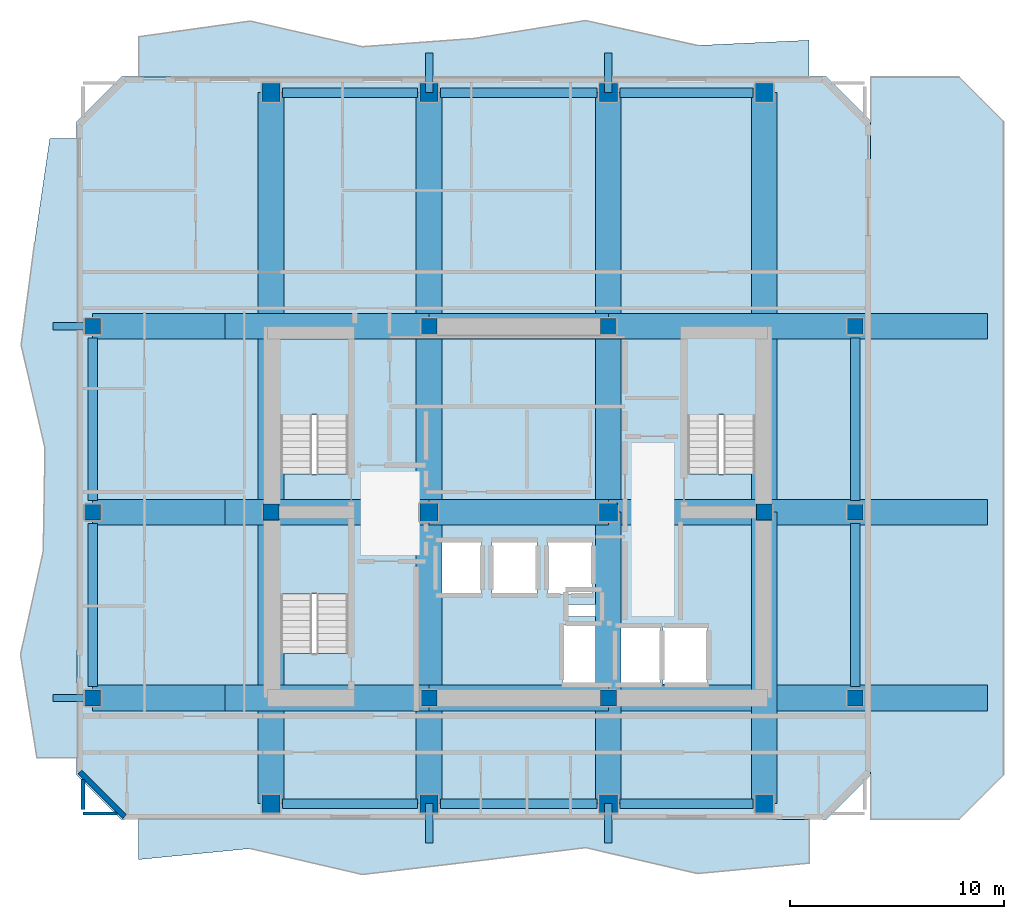
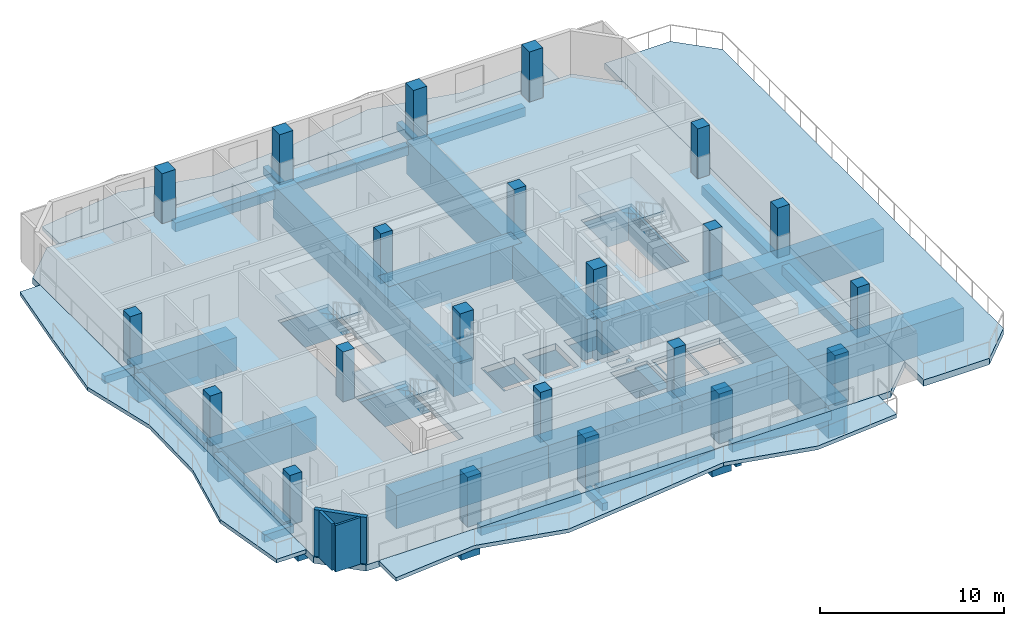
# One storey, part 1 of 10: 36 beams, 22 columns, 8 slabs, 3 walls, 3 elements without a shape of their own.
"""IFC4 building model written with IfcOpenShell, lengths in metres."""

from ifc_helpers import new_model, si_unit, direction, frame, frame_2d, origin, origin_2d, place, context, subcontext, project, spatial, polyline, rectangle, outline, extrude, material, layer, layer_set, material_profile, profile_set, type_object, element, aggregate, save


model = new_model("IFC4")

# Units and contexts
model_context = context("Model", 3, precision=1e-05, world=origin(), true_north=direction((0.0, 1.0)))
body_context = subcontext(model_context, "Body", "Model", "MODEL_VIEW")
ifc_project = project(units=[si_unit("LENGTHUNIT", "METRE"), si_unit("AREAUNIT", "SQUARE_METRE"), si_unit("VOLUMEUNIT", "CUBIC_METRE"), si_unit("PLANEANGLEUNIT", "RADIAN"), si_unit("MASSUNIT", "GRAM", prefix="KILO")], contexts=[model_context])

# Site, building, storey
site_placement = place(None, origin())
site = spatial("IfcSite", under=ifc_project, at=site_placement, CompositionType="ELEMENT")
building_placement = place(site_placement, origin())
building = spatial("IfcBuilding", under=site, at=building_placement, Name="Solanera Arch Residences", CompositionType="ELEMENT")
storey_placement = place(building_placement, frame((0.0, 0.0, 251.199951171875)))
storey = spatial("IfcBuildingStorey", under=building, at=storey_placement, Name="L73", CompositionType="ELEMENT", Elevation=251.199951171875)

# Columns
ifc_material_1 = material(Name="Concrete C40/50 (f'c = 45 MPa)", Category="concrete")
ifc_material_profile_1 = material_profile(ifc_material_1, rectangle(XDim=0.75, YDim=0.75, at=origin_2d()))
ifc_profile_set_1 = profile_set([ifc_material_profile_1], Name="Concrete C40/50 (f'c = 45 MPa)")
column_type_1 = type_object("IfcColumnType", Name="Structural Column RC-COL-750X750", PredefinedType="COLUMN", material=ifc_profile_set_1)
for number, where, z_axis, x_axis, name in (
    (1, (20.800048828125, 22.0, 0.0), (0.0, 0.0, 1.0), (1.0, 0.0, 0.0), "COL-L73-CB-SW"),
    (2, (29.199951171875, 22.0, 0.0), (0.0, 0.0, 1.0), (1.0, 0.0, 0.0), "COL-L73-CB-SE"),
    (3, (20.800048828125, 39.39990234375, 0.0), (0.0, 0.0, 1.0), (1.0, 0.0, 0.0), "COL-L73-CB-NW"),
    (4, (29.199951171875, 39.39990234375, 0.0), (0.0, 0.0, 1.0), (1.0, 0.0, 0.0), "COL-L73-CB-NE"),
    (5, (13.39990234375, 30.699951171875, 0.0), (0.0, 0.0, 1.0), (1.0, 0.0, 0.0), "COL-L73-CB-WW"),
    (6, (36.5, 30.699951171875, 0.0), (0.0, 0.0, 1.0), (1.0, 0.0, 0.0), "COL-L73-CB-EE"),
):
    element("IfcColumn", number, at=place(storey_placement, frame(where, z_axis=z_axis, x_axis=x_axis)), inside=storey, type_object=column_type_1, Name=name, PredefinedType="COLUMN", context=body_context, shape_type="SweptSolid", body=[
        extrude(rectangle(XDim=0.75, YDim=0.75, at=origin_2d()), origin(), (0.0, 0.0, 1.0), 3.320068359375),
    ])
for number, where, z_axis, x_axis, name in (
    (7, (5.050048828125, 22.0, -0.199951171875), (0.0, 0.0, 1.0), (1.0, 0.0, 0.0), "COL-L73-TWR-09"),
    (8, (40.75, 22.0, -0.199951171875), (0.0, 0.0, 1.0), (1.0, 0.0, 0.0), "COL-L73-TWR-10"),
    (9, (5.050048828125, 30.699951171875, -0.199951171875), (0.0, 0.0, 1.0), (1.0, 0.0, 0.0), "COL-L73-TWR-11"),
    (10, (40.75, 30.699951171875, -0.199951171875), (0.0, 0.0, 1.0), (1.0, 0.0, 0.0), "COL-L73-TWR-12"),
    (11, (5.050048828125, 39.39990234375, -0.199951171875), (0.0, 0.0, 1.0), (1.0, 0.0, 0.0), "COL-L73-TWR-13"),
    (12, (40.75, 39.39990234375, -0.199951171875), (0.0, 0.0, 1.0), (1.0, 0.0, 0.0), "COL-L73-TWR-14"),
):
    element("IfcColumn", number, at=place(storey_placement, frame(where, z_axis=z_axis, x_axis=x_axis)), inside=storey, type_object=column_type_1, Name=name, PredefinedType="COLUMN", context=body_context, shape_type="SweptSolid", body=[
        extrude(rectangle(XDim=0.75, YDim=0.75, at=origin_2d()), origin(), (0.0, 0.0, 1.0), 3.52001953125),
    ])
ifc_material_2 = material(Name="Concrete C40/50 (f'c = 45 MPa)", Category="concrete")
ifc_material_profile_2 = material_profile(ifc_material_2, rectangle(XDim=0.85009765625, YDim=0.85009765625, at=origin_2d()))
ifc_profile_set_2 = profile_set([ifc_material_profile_2], Name="Concrete C40/50 (f'c = 45 MPa)")
column_type_2 = type_object("IfcColumnType", Name="Structural Column RC-COL-850X850", PredefinedType="COLUMN", material=ifc_profile_set_2)
for number, where, z_axis, x_axis, name in (
    (13, (20.800048828125, 30.699951171875, 0.0), (0.0, 0.0, 1.0), (1.0, 0.0, 0.0), "COL-L73-CORE-W"),
    (14, (29.199951171875, 30.699951171875, 0.0), (0.0, 0.0, 1.0), (1.0, 0.0, 0.0), "COL-L73-CORE-E"),
):
    element("IfcColumn", number, at=place(storey_placement, frame(where, z_axis=z_axis, x_axis=x_axis)), inside=storey, type_object=column_type_2, Name=name, PredefinedType="COLUMN", context=body_context, shape_type="SweptSolid", body=[
        extrude(rectangle(XDim=0.85009765625, YDim=0.85009765625, at=origin_2d()), origin(), (0.0, 0.0, 1.0), 3.320068359375),
    ])
for number, where, z_axis, x_axis, name in (
    (15, (13.39990234375, 17.050048828125, -0.199951171875), (0.0, 0.0, 1.0), (1.0, 0.0, 0.0), "COL-L73-TWR-01"),
    (16, (13.39990234375, 50.35009765625, -0.199951171875), (0.0, 0.0, 1.0), (1.0, 0.0, 0.0), "COL-L73-TWR-02"),
    (17, (20.800048828125, 17.050048828125, -0.199951171875), (0.0, 0.0, 1.0), (1.0, 0.0, 0.0), "COL-L73-TWR-03"),
    (18, (20.800048828125, 50.35009765625, -0.199951171875), (0.0, 0.0, 1.0), (1.0, 0.0, 0.0), "COL-L73-TWR-04"),
    (19, (29.199951171875, 17.050048828125, -0.199951171875), (0.0, 0.0, 1.0), (1.0, 0.0, 0.0), "COL-L73-TWR-05"),
    (20, (29.199951171875, 50.35009765625, -0.199951171875), (0.0, 0.0, 1.0), (1.0, 0.0, 0.0), "COL-L73-TWR-06"),
    (21, (36.5, 17.050048828125, -0.199951171875), (0.0, 0.0, 1.0), (1.0, 0.0, 0.0), "COL-L73-TWR-07"),
    (22, (36.5, 50.35009765625, -0.199951171875), (0.0, 0.0, 1.0), (1.0, 0.0, 0.0), "COL-L73-TWR-08"),
):
    element("IfcColumn", number, at=place(storey_placement, frame(where, z_axis=z_axis, x_axis=x_axis)), inside=storey, type_object=column_type_2, Name=name, PredefinedType="COLUMN", context=body_context, shape_type="SweptSolid", body=[
        extrude(rectangle(XDim=0.85009765625, YDim=0.85009765625, at=origin_2d()), origin(), (0.0, 0.0, 1.0), 3.52001953125),
    ])

# Beams
ifc_material_3 = material(Name="Concrete C40/50 (f'c = 45 MPa)", Category="concrete")
ifc_material_profile_3 = material_profile(ifc_material_3, rectangle(XDim=0.35009765625, YDim=0.5, at=origin_2d()))
ifc_profile_set_3 = profile_set([ifc_material_profile_3], Name="Concrete C40/50 (f'c = 45 MPa)")
beam_type_1 = type_object("IfcBeamType", Name="BM-BALC-RIB", PredefinedType="BEAM", material=ifc_profile_set_3)
for number, where, z_axis, x_axis, name in (
    (23, (20.800048828125, 15.199951171875, -0.5), (0.0, 1.0, 0.0), (-1.0, 0.0, 0.0), "BM-L73-BRIB-S1"),
    (24, (29.199951171875, 15.199951171875, -0.5), (0.0, 1.0, 0.0), (-1.0, 0.0, 0.0), "BM-L73-BRIB-S2"),
):
    element("IfcBeam", number, at=place(storey_placement, frame(where, z_axis=z_axis, x_axis=x_axis)), inside=storey, type_object=beam_type_1, Name=name, PredefinedType="BEAM", context=body_context, shape_type="SweptSolid", body=[
        extrude(rectangle(XDim=0.35009765625, YDim=0.5, at=origin_2d()), origin(), (0.0, 0.0, 1.0), 1.85009765625),
    ])
for number, where, z_axis, x_axis, name in (
    (25, (20.800048828125, 50.35009765625, -0.5), (0.0, 1.0, 0.0), (-1.0, 0.0, 0.0), "BM-L73-BRIB-N1"),
    (26, (29.199951171875, 50.35009765625, -0.5), (0.0, 1.0, 0.0), (-1.0, 0.0, 0.0), "BM-L73-BRIB-N2"),
):
    element("IfcBeam", number, at=place(storey_placement, frame(where, z_axis=z_axis, x_axis=x_axis)), inside=storey, type_object=beam_type_1, Name=name, PredefinedType="BEAM", context=body_context, shape_type="SweptSolid", body=[
        extrude(rectangle(XDim=0.35009765625, YDim=0.5, at=origin_2d()), origin(), (0.0, 0.0, 1.0), 1.849853515625),
    ])
for number, where, z_axis, x_axis, name in (
    (27, (3.199951171875, 22.0, -0.5), (1.0, 0.0, 0.0), (0.0, 1.0, 0.0), "BM-L73-BRIB-W1"),
    (28, (3.199951171875, 39.39990234375, -0.5), (1.0, 0.0, 0.0), (0.0, 1.0, 0.0), "BM-L73-BRIB-W2"),
):
    element("IfcBeam", number, at=place(storey_placement, frame(where, z_axis=z_axis, x_axis=x_axis)), inside=storey, type_object=beam_type_1, Name=name, PredefinedType="BEAM", context=body_context, shape_type="SweptSolid", body=[
        extrude(rectangle(XDim=0.35009765625, YDim=0.5, at=origin_2d()), origin(), (0.0, 0.0, 1.0), 1.85009765625),
    ])
ifc_material_4 = material(Name="Concrete C55/67 (f'c = 60 MPa)", Category="concrete")
ifc_material_profile_4 = material_profile(ifc_material_4, rectangle(XDim=1.199951171875, YDim=2.199951171875, at=origin_2d()))
ifc_profile_set_4 = profile_set([ifc_material_profile_4], Name="Concrete C55/67 (f'c = 60 MPa)")
beam_type_2 = type_object("IfcBeamType", Name="BM-CANT-BLOCK", PredefinedType="BEAM", material=ifc_profile_set_4)
for number, where, z_axis, x_axis, name in (
    (29, (5.050048828125, 22.0, -1.300048828125), (1.0, 0.0, 0.0), (0.0, 1.0, 0.0), "BM-L73-CANT-EW-W-220"),
    (30, (5.050048828125, 30.699951171875, -1.300048828125), (1.0, 0.0, 0.0), (0.0, 1.0, 0.0), "BM-L73-CANT-EW-W-307"),
    (31, (5.050048828125, 39.39990234375, -1.300048828125), (1.0, 0.0, 0.0), (0.0, 1.0, 0.0), "BM-L73-CANT-EW-W-394"),
):
    element("IfcBeam", number, at=place(storey_placement, frame(where, z_axis=z_axis, x_axis=x_axis)), inside=storey, type_object=beam_type_2, Name=name, PredefinedType="BEAM", context=body_context, shape_type="SweptSolid", body=[
        extrude(rectangle(XDim=1.199951171875, YDim=2.199951171875, at=origin_2d()), origin(), (0.0, 0.0, 1.0), 6.199951171875),
    ])
ifc_material_5 = material(Name="Concrete C40/50 (f'c = 45 MPa)", Category="concrete")
ifc_material_profile_5 = material_profile(ifc_material_5, rectangle(XDim=0.449951171875, YDim=0.60009765625, at=origin_2d()))
ifc_profile_set_5 = profile_set([ifc_material_profile_5], Name="Concrete C40/50 (f'c = 45 MPa)")
beam_type_3 = type_object("IfcBeamType", Name="Spandrel Beam RC-BM-450X600", PredefinedType="SPANDREL", material=ifc_profile_set_5)
for number, where, z_axis, x_axis, name in (
    (32, (13.93994140625, 17.050048828125, -0.719970703125), (1.0, 0.0, 0.0), (0.0, 1.0, 0.0), "BM-L73-XRING-S-1"),
    (33, (13.93994140625, 50.35009765625, -0.719970703125), (1.0, 0.0, 0.0), (0.0, 1.0, 0.0), "BM-L73-XRING-N-1"),
):
    element("IfcBeam", number, at=place(storey_placement, frame(where, z_axis=z_axis, x_axis=x_axis)), inside=storey, type_object=beam_type_3, Name=name, PredefinedType="SPANDREL", context=body_context, shape_type="SweptSolid", body=[
        extrude(rectangle(XDim=0.449951171875, YDim=0.60009765625, at=origin_2d()), origin(), (0.0, 0.0, 1.0), 6.320068359375),
    ])
for number, where, z_axis, x_axis, name in (
    (34, (21.340087890625, 17.050048828125, -0.719970703125), (1.0, 0.0, 0.0), (0.0, 1.0, 0.0), "BM-L73-XRING-S-2"),
    (35, (21.340087890625, 50.35009765625, -0.719970703125), (1.0, 0.0, 0.0), (0.0, 1.0, 0.0), "BM-L73-XRING-N-2"),
):
    element("IfcBeam", number, at=place(storey_placement, frame(where, z_axis=z_axis, x_axis=x_axis)), inside=storey, type_object=beam_type_3, Name=name, PredefinedType="SPANDREL", context=body_context, shape_type="SweptSolid", body=[
        extrude(rectangle(XDim=0.449951171875, YDim=0.60009765625, at=origin_2d()), origin(), (0.0, 0.0, 1.0), 7.31982421875),
    ])
for number, where, z_axis, x_axis, name in (
    (36, (29.739990234375, 17.050048828125, -0.719970703125), (1.0, 0.0, 0.0), (0.0, 1.0, 0.0), "BM-L73-XRING-S-3"),
    (37, (29.739990234375, 50.35009765625, -0.719970703125), (1.0, 0.0, 0.0), (0.0, 1.0, 0.0), "BM-L73-XRING-N-3"),
):
    element("IfcBeam", number, at=place(storey_placement, frame(where, z_axis=z_axis, x_axis=x_axis)), inside=storey, type_object=beam_type_3, Name=name, PredefinedType="SPANDREL", context=body_context, shape_type="SweptSolid", body=[
        extrude(rectangle(XDim=0.449951171875, YDim=0.60009765625, at=origin_2d()), origin(), (0.0, 0.0, 1.0), 6.219970703125),
    ])
for number, where, z_axis, x_axis, name in (
    (38, (5.050048828125, 22.5400390625, -0.719970703125), (0.0, 1.0, 0.0), (-1.0, 0.0, 0.0), "BM-L73-XRING-W-1"),
    (39, (40.75, 22.5400390625, -0.719970703125), (0.0, 1.0, 0.0), (-1.0, 0.0, 0.0), "BM-L73-XRING-E-1"),
):
    element("IfcBeam", number, at=place(storey_placement, frame(where, z_axis=z_axis, x_axis=x_axis)), inside=storey, type_object=beam_type_3, Name=name, PredefinedType="SPANDREL", context=body_context, shape_type="SweptSolid", body=[
        extrude(rectangle(XDim=0.449951171875, YDim=0.60009765625, at=origin_2d()), origin(), (0.0, 0.0, 1.0), 7.619873046875),
    ])
for number, where, z_axis, x_axis, name in (
    (40, (5.050048828125, 31.239990234375, -0.719970703125), (0.0, 1.0, 0.0), (-1.0, 0.0, 0.0), "BM-L73-XRING-W-2"),
    (41, (40.75, 31.239990234375, -0.719970703125), (0.0, 1.0, 0.0), (-1.0, 0.0, 0.0), "BM-L73-XRING-E-2"),
):
    element("IfcBeam", number, at=place(storey_placement, frame(where, z_axis=z_axis, x_axis=x_axis)), inside=storey, type_object=beam_type_3, Name=name, PredefinedType="SPANDREL", context=body_context, shape_type="SweptSolid", body=[
        extrude(rectangle(XDim=0.449951171875, YDim=0.60009765625, at=origin_2d()), origin(), (0.0, 0.0, 1.0), 7.6201171875),
    ])
ifc_material_6 = material(Name="Concrete C55/67 (f'c = 60 MPa)", Category="concrete")
ifc_material_profile_6 = material_profile(ifc_material_6, rectangle(XDim=1.199951171875, YDim=2.199951171875, at=origin_2d()))
ifc_profile_set_6 = profile_set([ifc_material_profile_6], Name="Concrete C55/67 (f'c = 60 MPa)")
beam_type_4 = type_object("IfcBeamType", Name="Transfer Girder RC-BM-1200X2200", PredefinedType="BEAM", material=ifc_profile_set_6)
beam_1_placement = place(storey_placement, frame((13.39990234375, 17.050048828125, -1.300048828125), z_axis=(0.0, 1.0, 0.0), x_axis=(-1.0, 0.0, 0.0)))
element("IfcBeam", 42, at=beam_1_placement, inside=storey, type_object=beam_type_4, Name="BM-L73-XFER-NS-S-134", PredefinedType="BEAM", context=body_context, shape_type="SweptSolid", body=[
    extrude(rectangle(XDim=1.199951171875, YDim=2.199951171875, at=origin_2d()), origin(), (0.0, 0.0, 1.0), 13.64990234375),
])
beam_2_placement = place(storey_placement, frame((13.39990234375, 30.699951171875, -1.300048828125), z_axis=(0.0, 1.0, 0.0), x_axis=(-1.0, 0.0, 0.0)))
element("IfcBeam", 43, at=beam_2_placement, inside=storey, type_object=beam_type_4, Name="BM-L73-XFER-NS-N-134", PredefinedType="BEAM", context=body_context, shape_type="SweptSolid", body=[
    extrude(rectangle(XDim=1.199951171875, YDim=2.199951171875, at=origin_2d()), origin(), (0.0, 0.0, 1.0), 19.650146484375),
])
beam_3_placement = place(storey_placement, frame((20.800048828125, 17.050048828125, -1.300048828125), z_axis=(0.0, 1.0, 0.0), x_axis=(-1.0, 0.0, 0.0)))
element("IfcBeam", 44, at=beam_3_placement, inside=storey, type_object=beam_type_4, Name="BM-L73-XFER-NS-S-208", PredefinedType="BEAM", context=body_context, shape_type="SweptSolid", body=[
    extrude(rectangle(XDim=1.199951171875, YDim=2.199951171875, at=origin_2d()), origin(), (0.0, 0.0, 1.0), 13.64990234375),
])
beam_4_placement = place(storey_placement, frame((20.800048828125, 30.699951171875, -1.300048828125), z_axis=(0.0, 1.0, 0.0), x_axis=(-1.0, 0.0, 0.0)))
element("IfcBeam", 45, at=beam_4_placement, inside=storey, type_object=beam_type_4, Name="BM-L73-XFER-NS-N-208", PredefinedType="BEAM", context=body_context, shape_type="SweptSolid", body=[
    extrude(rectangle(XDim=1.199951171875, YDim=2.199951171875, at=origin_2d()), origin(), (0.0, 0.0, 1.0), 19.650146484375),
])
beam_5_placement = place(storey_placement, frame((29.199951171875, 17.050048828125, -1.300048828125), z_axis=(0.0, 1.0, 0.0), x_axis=(-1.0, 0.0, 0.0)))
element("IfcBeam", 46, at=beam_5_placement, inside=storey, type_object=beam_type_4, Name="BM-L73-XFER-NS-S-292", PredefinedType="BEAM", context=body_context, shape_type="SweptSolid", body=[
    extrude(rectangle(XDim=1.199951171875, YDim=2.199951171875, at=origin_2d()), origin(), (0.0, 0.0, 1.0), 13.64990234375),
])
beam_6_placement = place(storey_placement, frame((29.199951171875, 30.699951171875, -1.300048828125), z_axis=(0.0, 1.0, 0.0), x_axis=(-1.0, 0.0, 0.0)))
element("IfcBeam", 47, at=beam_6_placement, inside=storey, type_object=beam_type_4, Name="BM-L73-XFER-NS-N-292", PredefinedType="BEAM", context=body_context, shape_type="SweptSolid", body=[
    extrude(rectangle(XDim=1.199951171875, YDim=2.199951171875, at=origin_2d()), origin(), (0.0, 0.0, 1.0), 19.650146484375),
])
beam_7_placement = place(storey_placement, frame((36.5, 17.050048828125, -1.300048828125), z_axis=(0.0, 1.0, 0.0), x_axis=(-1.0, 0.0, 0.0)))
element("IfcBeam", 48, at=beam_7_placement, inside=storey, type_object=beam_type_4, Name="BM-L73-XFER-NS-S-365", PredefinedType="BEAM", context=body_context, shape_type="SweptSolid", body=[
    extrude(rectangle(XDim=1.199951171875, YDim=2.199951171875, at=origin_2d()), origin(), (0.0, 0.0, 1.0), 13.64990234375),
])
beam_8_placement = place(storey_placement, frame((36.5, 30.699951171875, -1.300048828125), z_axis=(0.0, 1.0, 0.0), x_axis=(-1.0, 0.0, 0.0)))
element("IfcBeam", 49, at=beam_8_placement, inside=storey, type_object=beam_type_4, Name="BM-L73-XFER-NS-N-365", PredefinedType="BEAM", context=body_context, shape_type="SweptSolid", body=[
    extrude(rectangle(XDim=1.199951171875, YDim=2.199951171875, at=origin_2d()), origin(), (0.0, 0.0, 1.0), 19.650146484375),
])
beam_9_placement = place(storey_placement, frame((11.25, 22.0, -1.300048828125), z_axis=(1.0, 0.0, 0.0), x_axis=(0.0, 1.0, 0.0)))
element("IfcBeam", 50, at=beam_9_placement, inside=storey, type_object=beam_type_4, Name="BM-L73-XFER-EW-W-220", PredefinedType="BEAM", context=body_context, shape_type="SweptSolid", body=[
    extrude(rectangle(XDim=1.199951171875, YDim=2.199951171875, at=origin_2d()), origin(), (0.0, 0.0, 1.0), 9.550048828125),
])
beam_10_placement = place(storey_placement, frame((20.800048828125, 22.0, -1.300048828125), z_axis=(1.0, 0.0, 0.0), x_axis=(0.0, 1.0, 0.0)))
element("IfcBeam", 51, at=beam_10_placement, inside=storey, type_object=beam_type_4, Name="BM-L73-XFER-EW-C-220", PredefinedType="BEAM", context=body_context, shape_type="SweptSolid", body=[
    extrude(rectangle(XDim=1.199951171875, YDim=2.199951171875, at=origin_2d()), origin(), (0.0, 0.0, 1.0), 8.39990234375),
])
beam_11_placement = place(storey_placement, frame((29.199951171875, 22.0, -1.300048828125), z_axis=(1.0, 0.0, 0.0), x_axis=(0.0, 1.0, 0.0)))
element("IfcBeam", 52, at=beam_11_placement, inside=storey, type_object=beam_type_4, Name="BM-L73-XFER-EW-E-220", PredefinedType="BEAM", context=body_context, shape_type="SweptSolid", body=[
    extrude(rectangle(XDim=1.199951171875, YDim=2.199951171875, at=origin_2d()), origin(), (0.0, 0.0, 1.0), 17.75),
])
beam_12_placement = place(storey_placement, frame((11.25, 30.699951171875, -1.300048828125), z_axis=(1.0, 0.0, 0.0), x_axis=(0.0, 1.0, 0.0)))
element("IfcBeam", 53, at=beam_12_placement, inside=storey, type_object=beam_type_4, Name="BM-L73-XFER-EW-W-307", PredefinedType="BEAM", context=body_context, shape_type="SweptSolid", body=[
    extrude(rectangle(XDim=1.199951171875, YDim=2.199951171875, at=origin_2d()), origin(), (0.0, 0.0, 1.0), 9.550048828125),
])
beam_13_placement = place(storey_placement, frame((20.800048828125, 30.699951171875, -1.300048828125), z_axis=(1.0, 0.0, 0.0), x_axis=(0.0, 1.0, 0.0)))
element("IfcBeam", 54, at=beam_13_placement, inside=storey, type_object=beam_type_4, Name="BM-L73-XFER-EW-C-307", PredefinedType="BEAM", context=body_context, shape_type="SweptSolid", body=[
    extrude(rectangle(XDim=1.199951171875, YDim=2.199951171875, at=origin_2d()), origin(), (0.0, 0.0, 1.0), 8.39990234375),
])
beam_14_placement = place(storey_placement, frame((29.199951171875, 30.699951171875, -1.300048828125), z_axis=(1.0, 0.0, 0.0), x_axis=(0.0, 1.0, 0.0)))
element("IfcBeam", 55, at=beam_14_placement, inside=storey, type_object=beam_type_4, Name="BM-L73-XFER-EW-E-307", PredefinedType="BEAM", context=body_context, shape_type="SweptSolid", body=[
    extrude(rectangle(XDim=1.199951171875, YDim=2.199951171875, at=origin_2d()), origin(), (0.0, 0.0, 1.0), 17.75),
])
beam_15_placement = place(storey_placement, frame((11.25, 39.39990234375, -1.300048828125), z_axis=(1.0, 0.0, 0.0), x_axis=(0.0, 1.0, 0.0)))
element("IfcBeam", 56, at=beam_15_placement, inside=storey, type_object=beam_type_4, Name="BM-L73-XFER-EW-W-394", PredefinedType="BEAM", context=body_context, shape_type="SweptSolid", body=[
    extrude(rectangle(XDim=1.199951171875, YDim=2.199951171875, at=origin_2d()), origin(), (0.0, 0.0, 1.0), 9.550048828125),
])
beam_16_placement = place(storey_placement, frame((20.800048828125, 39.39990234375, -1.300048828125), z_axis=(1.0, 0.0, 0.0), x_axis=(0.0, 1.0, 0.0)))
element("IfcBeam", 57, at=beam_16_placement, inside=storey, type_object=beam_type_4, Name="BM-L73-XFER-EW-C-394", PredefinedType="BEAM", context=body_context, shape_type="SweptSolid", body=[
    extrude(rectangle(XDim=1.199951171875, YDim=2.199951171875, at=origin_2d()), origin(), (0.0, 0.0, 1.0), 8.39990234375),
])
beam_17_placement = place(storey_placement, frame((29.199951171875, 39.39990234375, -1.300048828125), z_axis=(1.0, 0.0, 0.0), x_axis=(0.0, 1.0, 0.0)))
element("IfcBeam", 58, at=beam_17_placement, inside=storey, type_object=beam_type_4, Name="BM-L73-XFER-EW-E-394", PredefinedType="BEAM", context=body_context, shape_type="SweptSolid", body=[
    extrude(rectangle(XDim=1.199951171875, YDim=2.199951171875, at=origin_2d()), origin(), (0.0, 0.0, 1.0), 17.75),
])

# Slabs
ifc_material_7 = material(Name="Concrete C40/50 (f'c = 45 MPa)", Category="concrete")
ifc_layer_1 = layer(ifc_material_7, 0.25)
ifc_layer_set_1 = layer_set([ifc_layer_1], Name="Concrete C40/50 (f'c = 45 MPa)")
slab_type_1 = type_object("IfcSlabType", Name="Balcony Slab 250", PredefinedType="FLOOR", material=ifc_layer_set_1)
slab_1_placement = place(storey_placement, frame((0.0, 0.0, -0.25)))
element("IfcSlab", 59, at=slab_1_placement, inside=storey, type_object=slab_type_1, Name="L73 S Rippling Brise-Soleil Balcony Slab", PredefinedType="FLOOR", context=body_context, shape_type="SweptSolid", body=[
    extrude(outline(polyline([(7.199951171875, 14.43408203125), (12.43310546875, 14.949951171875), (17.6669921875, 13.736083984375), (22.89990234375, 14.35107421875), (28.133056640625, 14.992919921875), (33.366943359375, 13.780029296875), (38.60009765625, 14.26708984375), (38.60009765625, 16.320068359375), (7.199951171875, 16.320068359375), (7.199951171875, 14.43408203125)])), origin(), (0.0, 0.0, 1.0), 0.25),
])
slab_2_placement = place(storey_placement, frame((0.0, 0.0, -0.25)))
element("IfcSlab", 60, at=slab_2_placement, inside=storey, type_object=slab_type_1, Name="L73 N Rippling Brise-Soleil Balcony Slab", PredefinedType="FLOOR", context=body_context, shape_type="SweptSolid", body=[
    extrude(outline(polyline([(38.60009765625, 52.802978515625), (33.366943359375, 52.55810546875), (28.133056640625, 53.72607421875), (22.89990234375, 52.883056640625), (17.6669921875, 52.5), (12.43310546875, 53.698974609375), (7.199951171875, 52.966064453125), (7.199951171875, 51.080078125), (38.60009765625, 51.080078125), (38.60009765625, 52.802978515625)])), origin(), (0.0, 0.0, 1.0), 0.25),
])
slab_3_placement = place(storey_placement, frame((0.0, 0.0, -0.25)))
element("IfcSlab", 61, at=slab_3_placement, inside=storey, type_object=slab_type_1, Name="L73 W Rippling Brise-Soleil Balcony Slab", PredefinedType="FLOOR", context=body_context, shape_type="SweptSolid", body=[
    extrude(outline(polyline([(3.041015625, 48.199951171875), (2.33203125, 43.366943359375), (1.697021484375, 38.532958984375), (2.81396484375, 33.699951171875), (2.73095703125, 28.866943359375), (1.66796875, 24.032958984375), (2.43408203125, 19.199951171875), (4.320068359375, 19.199951171875), (4.320068359375, 48.199951171875), (3.041015625, 48.199951171875)])), origin(), (0.0, 0.0, 1.0), 0.25),
])

# Stair, slab
ifc_material_8 = material(Name="Concrete C40/50 (f'c = 45 MPa)", Category="concrete")
stair_type = type_object("IfcStairType", Name="Tower Dogleg Exit Stair 1480", PredefinedType="HALF_TURN_STAIR", material=ifc_material_8)
stair_1_placement = place(storey_placement, origin())
stair_1 = element("IfcStair", 62, at=stair_1_placement, inside=storey, type_object=stair_type, Name="L73 Tower Core Exit Stair 1", PredefinedType="HALF_TURN_STAIR")
ifc_material_9 = material(Name="Concrete C40/50 (f'c = 45 MPa)", Category="concrete")
ifc_layer_2 = layer(ifc_material_9, 0.199951171875)
ifc_layer_set_2 = layer_set([ifc_layer_2], Name="Concrete C40/50 (f'c = 45 MPa)")
slab_type_2 = type_object("IfcSlabType", Name="Stair Half-Landing Slab 200", PredefinedType="LANDING", material=ifc_layer_set_2)
slab_4_placement = place(storey_placement, frame((0.0, 0.0, 1.4599609375)))
slab_4 = element("IfcSlab", 63, at=slab_4_placement, type_object=slab_type_2, Name="ST-T1 landing 1", PredefinedType="LANDING", context=body_context, shape_type="SweptSolid", body=[
    extrude(outline(polyline([(17.1201171875, 35.260009765625), (17.1201171875, 38.919921875), (13.719970703125, 38.919921875), (13.719970703125, 35.260009765625), (17.1201171875, 35.260009765625)])), origin(), (0.0, 0.0, 1.0), 0.2001953125),
])
aggregate(stair_1, [slab_4])

stair_2_placement = place(storey_placement, origin())
stair_2 = element("IfcStair", 64, at=stair_2_placement, inside=storey, type_object=stair_type, Name="L73 Tower Core Exit Stair 2", PredefinedType="HALF_TURN_STAIR")
slab_5_placement = place(storey_placement, frame((0.0, 0.0, 1.4599609375)))
slab_5 = element("IfcSlab", 65, at=slab_5_placement, type_object=slab_type_2, Name="ST-T2 landing 1", PredefinedType="LANDING", context=body_context, shape_type="SweptSolid", body=[
    extrude(outline(polyline([(36.179931640625, 35.260009765625), (36.179931640625, 38.919921875), (32.780029296875, 38.919921875), (32.780029296875, 35.260009765625), (36.179931640625, 35.260009765625)])), origin(), (0.0, 0.0, 1.0), 0.2001953125),
])
aggregate(stair_2, [slab_5])

stair_3_placement = place(storey_placement, origin())
stair_3 = element("IfcStair", 66, at=stair_3_placement, inside=storey, type_object=stair_type, Name="L73 Tower Core Exit Stair 3", PredefinedType="HALF_TURN_STAIR")
slab_6_placement = place(storey_placement, frame((0.0, 0.0, 1.4599609375)))
slab_6 = element("IfcSlab", 67, at=slab_6_placement, type_object=slab_type_2, Name="ST-T3 landing 1", PredefinedType="LANDING", context=body_context, shape_type="SweptSolid", body=[
    extrude(outline(polyline([(17.1201171875, 26.860107421875), (17.1201171875, 30.52001953125), (13.719970703125, 30.52001953125), (13.719970703125, 26.860107421875), (17.1201171875, 26.860107421875)])), origin(), (0.0, 0.0, 1.0), 0.2001953125),
])
aggregate(stair_3, [slab_6])

# Slabs
ifc_material_10 = material(Name="Concrete C40/50 (f'c = 45 MPa)", Category="concrete")
ifc_layer_3 = layer(ifc_material_10, 0.419921875)
ifc_layer_set_3 = layer_set([ifc_layer_3], Name="Concrete C40/50 (f'c = 45 MPa)")
slab_type_3 = type_object("IfcSlabType", Name="Suspended Floor Slab Post-Tensioned 420", PredefinedType="FLOOR", material=ifc_layer_set_3)
slab_7_placement = place(storey_placement, frame((0.0, 0.0, -0.419921875)))
element("IfcSlab", 68, at=slab_7_placement, inside=storey, type_object=slab_type_3, Name="L73 Tower Post-Tensioned Floor Slab", PredefinedType="FLOOR", context=body_context, shape_type="SweptSolid", body=[
    extrude(outline(polyline([(6.39990234375, 16.300048828125), (39.39990234375, 16.300048828125), (41.5, 18.39990234375), (41.5, 49.0), (39.39990234375, 51.10009765625), (6.39990234375, 51.10009765625), (4.300048828125, 49.0), (4.300048828125, 18.39990234375), (6.39990234375, 16.300048828125)]), holes=[polyline([(13.840087890625, 32.48291015625), (13.840087890625, 38.800048828125), (17.0, 38.800048828125), (17.0, 32.48291015625), (13.840087890625, 32.48291015625)]), polyline([(32.89990234375, 32.48291015625), (32.89990234375, 38.800048828125), (36.06005859375, 38.800048828125), (36.06005859375, 32.48291015625), (32.89990234375, 32.48291015625)]), polyline([(13.840087890625, 24.0830078125), (13.840087890625, 30.39990234375), (17.0, 30.39990234375), (17.0, 24.0830078125), (13.840087890625, 24.0830078125)]), polyline([(21.14990234375, 29.35009765625), (23.25, 29.35009765625), (23.25, 26.85009765625), (21.14990234375, 26.85009765625), (21.14990234375, 29.35009765625)]), polyline([(23.75, 29.35009765625), (25.85009765625, 29.35009765625), (25.85009765625, 26.85009765625), (23.75, 26.85009765625), (23.75, 29.35009765625)]), polyline([(26.35009765625, 29.35009765625), (28.449951171875, 29.35009765625), (28.449951171875, 26.85009765625), (26.35009765625, 26.85009765625), (26.35009765625, 29.35009765625)]), polyline([(29.550048828125, 25.35009765625), (31.64990234375, 25.35009765625), (31.64990234375, 22.64990234375), (29.550048828125, 22.64990234375), (29.550048828125, 25.35009765625)]), polyline([(31.75, 25.35009765625), (33.85009765625, 25.35009765625), (33.85009765625, 22.64990234375), (31.75, 22.64990234375), (31.75, 25.35009765625)]), polyline([(27.050048828125, 25.449951171875), (29.35009765625, 25.449951171875), (29.35009765625, 22.64990234375), (27.050048828125, 22.64990234375), (27.050048828125, 25.449951171875)]), polyline([(27.340087890625, 26.3798828125), (28.760009765625, 26.3798828125), (28.760009765625, 25.820068359375), (27.340087890625, 25.820068359375), (27.340087890625, 26.3798828125)])]), origin(), (0.0, 0.0, 1.0), 0.419921875),
])
ifc_material_11 = material(Name="Concrete C40/50 (f'c = 45 MPa)", Category="concrete")
ifc_layer_4 = layer(ifc_material_11, 0.419921875)
ifc_layer_set_4 = layer_set([ifc_layer_4], Name="Concrete C40/50 (f'c = 45 MPa)")
slab_type_4 = type_object("IfcSlabType", Name="Terrace Slab 420", PredefinedType="FLOOR", material=ifc_layer_set_4)
slab_8_placement = place(storey_placement, frame((0.0, 0.0, -0.419921875)))
element("IfcSlab", 69, at=slab_8_placement, inside=storey, type_object=slab_type_4, Name="L73 Planted Sky Terrace Slab 1", PredefinedType="FLOOR", context=body_context, shape_type="SweptSolid", body=[
    extrude(outline(polyline([(45.6201171875, 51.080078125), (41.47998046875, 51.080078125), (41.47998046875, 48.991943359375), (41.47998046875, 18.407958984375), (41.47998046875, 16.320068359375), (45.6201171875, 16.320068359375), (47.699951171875, 18.39990234375), (47.699951171875, 49.0), (45.6201171875, 51.080078125)])), origin(), (0.0, 0.0, 1.0), 0.419921875),
])

# Walls
ifc_material_12 = material(Name="Autoclaved Aerated Concrete Blockwork", Category="masonry")
ifc_layer_5 = layer(ifc_material_12, 0.179931640625)
ifc_layer_set_5 = layer_set([ifc_layer_5], Name="Autoclaved Aerated Concrete Blockwork")
wall_type_1 = type_object("IfcWallType", Name="Corridor Fire Partition 180", PredefinedType="PARTITIONING", material=ifc_layer_set_5)
wall_1_placement = place(storey_placement, frame((4.60009765625, 16.76806640625, 0.0), z_axis=(0.0, 0.0, 1.0), x_axis=(0.0, 1.0, 0.0)))
element("IfcWall", 70, at=wall_1_placement, inside=storey, type_object=wall_type_1, Name="L73 Interior Partition V6 1", PredefinedType="PARTITIONING", context=body_context, shape_type="SweptSolid", body=[
    extrude(rectangle(XDim=1.4208984375, YDim=0.179931640625, at=frame_2d((0.71044921875, 0.0))), origin(), (0.0, 0.0, 1.0), 3.10009765625),
])
ifc_material_13 = material(Name="Precast Concrete C35/45", Category="concrete")
ifc_layer_6 = layer(ifc_material_13, 0.260009765625)
ifc_layer_set_6 = layer_set([ifc_layer_6], Name="Precast Concrete C35/45")
wall_type_2 = type_object("IfcWallType", Name="Exterior Wall Precast Masonry-Frame 260", PredefinedType="STANDARD", material=ifc_layer_set_6)
wall_2_placement = place(storey_placement, frame((6.544921875, 16.445068359375, 0.0), z_axis=(0.0, 0.0, 1.0), x_axis=(-0.707106781187, 0.707106781187, 0.0)))
element("IfcWall", 71, at=wall_2_placement, inside=storey, type_object=wall_type_2, Name="L73 Tower Exterior Precast Masonry-Frame Wall CH7", PredefinedType="STANDARD", context=body_context, shape_type="SweptSolid", body=[
    extrude(rectangle(XDim=2.9697265625, YDim=0.260009765625, at=frame_2d((1.48486328125, 0.0))), origin(), (0.0, 0.0, 1.0), 3.10009765625),
])
ifc_material_14 = material(Name="Autoclaved Aerated Concrete Blockwork", Category="masonry")
ifc_layer_7 = layer(ifc_material_14, 0.139892578125)
ifc_layer_set_7 = layer_set([ifc_layer_7], Name="Autoclaved Aerated Concrete Blockwork")
wall_type_3 = type_object("IfcWallType", Name="Wet-Room Partition 140", PredefinedType="PARTITIONING", material=ifc_layer_set_7)
wall_3_placement = place(storey_placement, frame((4.60009765625, 16.60009765625, 0.0), z_axis=(0.0, 0.0, 1.0), x_axis=(1.0, 0.0, 0.0)))
element("IfcWall", 72, at=wall_3_placement, inside=storey, type_object=wall_type_3, Name="L73 Interior Partition H14 1", PredefinedType="PARTITIONING", context=body_context, shape_type="SweptSolid", body=[
    extrude(rectangle(XDim=1.5888671875, YDim=0.139892578125, at=frame_2d((0.79443359375, 0.0))), origin(), (0.0, 0.0, 1.0), 3.10009765625),
])

save(model, "model.ifc")
